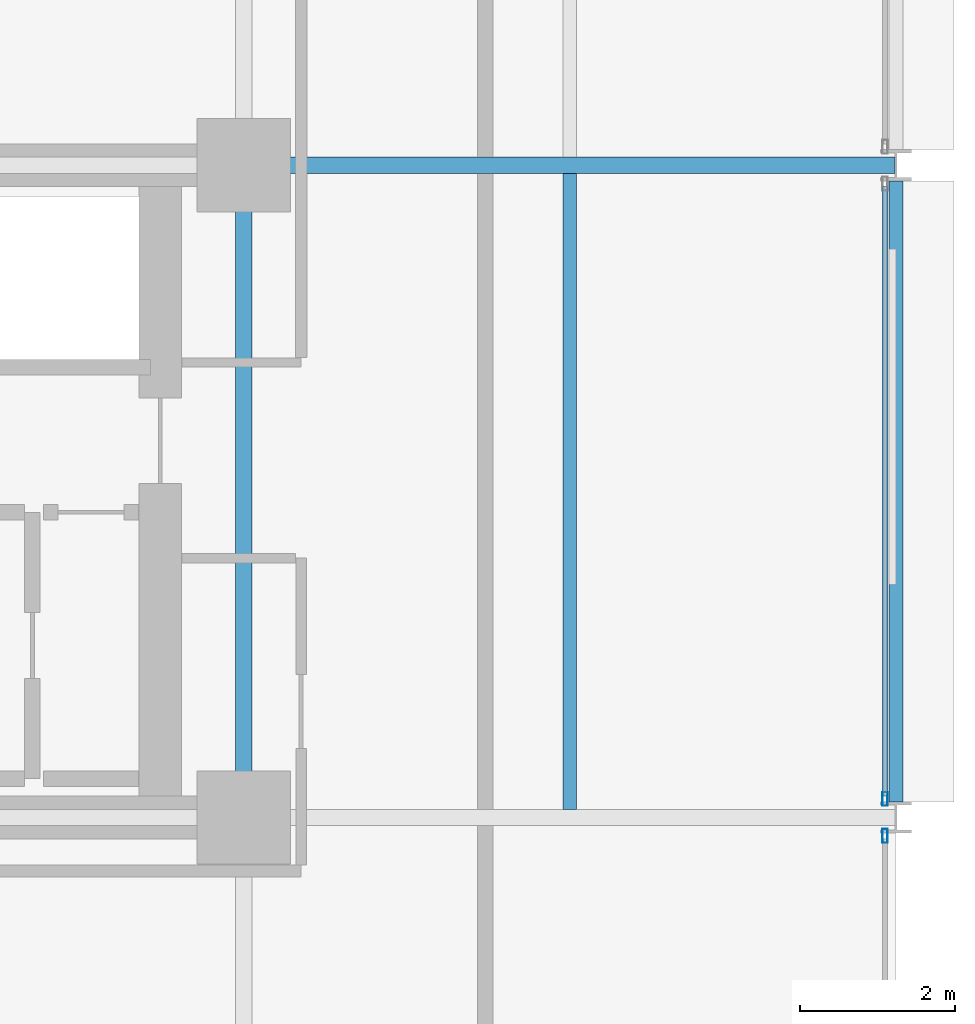
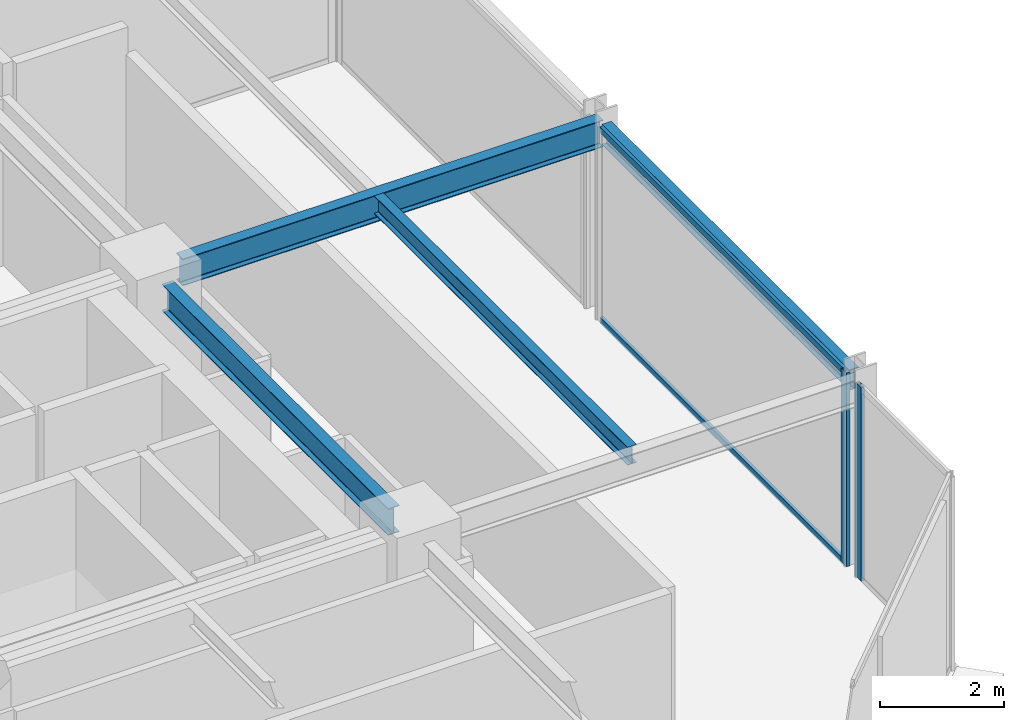
# One storey, part 14 of 30: 4 beams, 4 members, 2 elements without a shape of their own.
"""IFC4 building model written with IfcOpenShell, lengths in metres."""

from ifc_helpers import new_model, si_unit, direction, frame, origin, origin_2d, place, context, subcontext, project, spatial, hollow_rectangle, i_section, extrude, material, layer, layer_set, material_profile, profile_set, type_object, element, aggregate, save


model = new_model("IFC4")

# Units and contexts
model_context = context("Model", 3, precision=1e-05, world=origin(), true_north=direction((0.0, 1.0)))
body_context = subcontext(model_context, "Body", "Model", "MODEL_VIEW")
ifc_project = project(units=[si_unit("LENGTHUNIT", "METRE"), si_unit("AREAUNIT", "SQUARE_METRE"), si_unit("VOLUMEUNIT", "CUBIC_METRE"), si_unit("PLANEANGLEUNIT", "RADIAN"), si_unit("MASSUNIT", "GRAM", prefix="KILO")], contexts=[model_context])

# Site, building, storey
site_placement = place(None, origin())
site = spatial("IfcSite", under=ifc_project, at=site_placement, CompositionType="ELEMENT")
building_placement = place(site_placement, origin())
building = spatial("IfcBuilding", under=site, at=building_placement, Name="Nerrivon Quay Data Exchange", CompositionType="ELEMENT")
storey_placement = place(building_placement, frame((0.0, 0.0, 129.5)))
storey = spatial("IfcBuildingStorey", under=building, at=storey_placement, Name="L30", CompositionType="ELEMENT", Elevation=129.5)

# Beams
ifc_material_1 = material(Name="Steel Grade 350", Category="steel")
ifc_material_profile_1 = material_profile(ifc_material_1, i_section(OverallWidth=0.208984375, OverallDepth=0.532958984375, WebThickness=0.01025390625, FlangeThickness=0.015625, FilletRadius=0.013916015625, at=origin_2d()), Name="530UB92.4")
ifc_profile_set_1 = profile_set([ifc_material_profile_1], Name="Steel Grade 350")
beam_type_1 = type_object("IfcBeamType", Name="BM-G3-530UB92", PredefinedType="BEAM", material=ifc_profile_set_1)
beam_1_placement = place(storey_placement, frame((34.139892578125, 16.800048828125, 3.55859375), z_axis=(1.0, 0.0, 0.0), x_axis=(0.0, 1.0, 0.0)))
element("IfcBeam", 1, at=beam_1_placement, inside=storey, type_object=beam_type_1, Name="L30 EW Girder Y=16.8 (33.6..42.0)", PredefinedType="BEAM", context=body_context, shape_type="SweptSolid", body=[
    extrude(i_section(OverallWidth=0.208984375, OverallDepth=0.532958984375, WebThickness=0.01025390625, FlangeThickness=0.015625, FilletRadius=0.013916015625, at=origin_2d()), origin(), (0.0, 0.0, 1.0), 7.84765625),
])
ifc_material_profile_2 = material_profile(ifc_material_1, i_section(OverallWidth=0.208984375, OverallDepth=0.528076171875, WebThickness=0.009521484375, FlangeThickness=0.01318359375, FilletRadius=0.013916015625, at=origin_2d()), Name="530UB82.0")
ifc_profile_set_2 = profile_set([ifc_material_profile_2], Name="Steel Grade 350")
beam_type_2 = type_object("IfcBeamType", Name="BM-G4-530UB82", PredefinedType="BEAM", material=ifc_profile_set_2)
beam_2_placement = place(storey_placement, frame((33.60009765625, 8.93994140625, 3.56103515625), z_axis=(0.0, 1.0, 0.0), x_axis=(-1.0, 0.0, 0.0)))
element("IfcBeam", 2, at=beam_2_placement, inside=storey, type_object=beam_type_2, Name="L30 NS Girder X=33.6 (8.4..16.8)", PredefinedType="BEAM", context=body_context, shape_type="SweptSolid", body=[
    extrude(i_section(OverallWidth=0.208984375, OverallDepth=0.528076171875, WebThickness=0.009521484375, FlangeThickness=0.01318359375, FilletRadius=0.013916015625, at=origin_2d()), origin(), (0.0, 0.0, 1.0), 7.320068359375),
])
ifc_material_profile_3 = material_profile(ifc_material_1, i_section(OverallWidth=0.1708984375, OverallDepth=0.35595703125, WebThickness=0.00732421875, FlangeThickness=0.011474609375, FilletRadius=0.011474609375, at=origin_2d()), Name="360UB50.7")
ifc_profile_set_3 = profile_set([ifc_material_profile_3], Name="Steel Grade 350")
beam_type_3 = type_object("IfcBeamType", Name="BM-J4-360UB51", PredefinedType="JOIST", material=ifc_profile_set_3)
beam_3_placement = place(storey_placement, frame((37.800048828125, 8.50439453125, 3.64697265625), z_axis=(0.0, 1.0, 0.0), x_axis=(-1.0, 0.0, 0.0)))
element("IfcBeam", 3, at=beam_3_placement, inside=storey, type_object=beam_type_3, Name="L30 Secondary Joist X=37.8 (8.4..16.8)", PredefinedType="JOIST", context=body_context, shape_type="SweptSolid", body=[
    extrude(i_section(OverallWidth=0.1708984375, OverallDepth=0.35595703125, WebThickness=0.00732421875, FlangeThickness=0.011474609375, FilletRadius=0.011474609375, at=origin_2d()), origin(), (0.0, 0.0, 1.0), 8.191162109375),
])
ifc_material_profile_4 = material_profile(ifc_material_1, i_section(OverallWidth=0.177978515625, OverallDepth=0.403076171875, WebThickness=0.007568359375, FlangeThickness=0.010986328125, FilletRadius=0.011474609375, at=origin_2d()), Name="410UB53.7")
ifc_profile_set_4 = profile_set([ifc_material_profile_4], Name="Steel Grade 350")
beam_type_4 = type_object("IfcBeamType", Name="BM-SP2-410UB54", PredefinedType="SPANDREL", material=ifc_profile_set_4)
beam_4_placement = place(storey_placement, frame((42.0, 8.60009765625, 3.62353515625), z_axis=(0.0, 1.0, 0.0), x_axis=(-1.0, 0.0, 0.0)))
element("IfcBeam", 4, at=beam_4_placement, inside=storey, type_object=beam_type_4, Name="L30 NS Girder X=42.0 (8.4..16.8)", PredefinedType="SPANDREL", context=body_context, shape_type="SweptSolid", body=[
    extrude(i_section(OverallWidth=0.177978515625, OverallDepth=0.403076171875, WebThickness=0.007568359375, FlangeThickness=0.010986328125, FilletRadius=0.011474609375, at=origin_2d()), origin(), (0.0, 0.0, 1.0), 8.0),
])

# Curtain wall, member
ifc_material_2 = material(Name="Anodised aluminium 6063-T6", Category="aluminium")
ifc_layer = layer(ifc_material_2, 0.2099609375)
ifc_layer_set = layer_set([ifc_layer], Name="Anodised aluminium 6063-T6")
curtain_wall_type = type_object("IfcCurtainWallType", Name="CW-SYS-02", PredefinedType="NOTDEFINED", material=ifc_layer_set)
curtain_wall_1_placement = place(storey_placement, origin())
curtain_wall_1 = element("IfcCurtainWall", 5, at=curtain_wall_1_placement, inside=storey, type_object=curtain_wall_type, Name="L30 Unitised Curtain Wall 29", PredefinedType="NOTDEFINED")
ifc_material_profile_5 = material_profile(ifc_material_2, hollow_rectangle(XDim=0.06494140625, YDim=0.179931640625, WallThickness=0.00341796875, at=origin_2d()), Name="ALU-MULL-180x65")
ifc_profile_set_5 = profile_set([ifc_material_profile_5], Name="Anodised aluminium 6063-T6")
member_type_1 = type_object("IfcMemberType", Name="CWM-180x65", PredefinedType="MULLION", material=ifc_profile_set_5)
member_1_placement = place(storey_placement, frame((41.860107421875, 8.637451171875, 0.0), z_axis=(0.0, 0.0, 1.0), x_axis=(1.0, 0.0, 0.0)))
member_1 = element("IfcMember", 6, at=member_1_placement, type_object=member_type_1, Name="CW02 mullion 2", PredefinedType="MULLION", context=body_context, shape_type="SweptSolid", body=[
    extrude(hollow_rectangle(XDim=0.06494140625, YDim=0.179931640625, WallThickness=0.00341796875, at=origin_2d()), origin(), (0.0, 0.0, 1.0), 3.824951171875),
])

curtain_wall_2_placement = place(storey_placement, origin())
curtain_wall_2 = element("IfcCurtainWall", 7, at=curtain_wall_2_placement, inside=storey, type_object=curtain_wall_type, Name="L30 Unitised Curtain Wall 30", PredefinedType="NOTDEFINED")
member_2_placement = place(storey_placement, frame((41.860107421875, 8.16259765625, 0.0), z_axis=(0.0, 0.0, 1.0), x_axis=(1.0, 0.0, 0.0)))
member_2 = element("IfcMember", 8, at=member_2_placement, type_object=member_type_1, Name="CW02 mullion 1", PredefinedType="MULLION", context=body_context, shape_type="SweptSolid", body=[
    extrude(hollow_rectangle(XDim=0.06494140625, YDim=0.179931640625, WallThickness=0.00341796875, at=origin_2d()), origin(), (0.0, 0.0, 1.0), 3.824951171875),
])
aggregate(curtain_wall_2, [member_2])

# Member
ifc_material_profile_6 = material_profile(ifc_material_2, hollow_rectangle(XDim=0.06005859375, YDim=0.1201171875, WallThickness=0.003173828125, at=origin_2d()), Name="ALU-TRAN-120x60")
ifc_profile_set_6 = profile_set([ifc_material_profile_6], Name="Anodised aluminium 6063-T6")
member_type_2 = type_object("IfcMemberType", Name="CWT-120x60", PredefinedType="USERDEFINED", material=ifc_profile_set_6)
member_3_placement = place(storey_placement, frame((41.860107421875, 16.52490234375, 0.032470703125), z_axis=(0.0, -1.0, 0.0), x_axis=(1.0, 0.0, 0.0)))
member_3 = element("IfcMember", 9, at=member_3_placement, type_object=member_type_2, Name="CW02 transom 1.1", ObjectType="TRANSOM", PredefinedType="USERDEFINED", context=body_context, shape_type="SweptSolid", body=[
    extrude(hollow_rectangle(XDim=0.06005859375, YDim=0.1201171875, WallThickness=0.003173828125, at=origin_2d()), origin(), (0.0, 0.0, 1.0), 7.849853515625),
])

member_4_placement = place(storey_placement, frame((41.860107421875, 16.52490234375, 3.79248046875), z_axis=(0.0, -1.0, 0.0), x_axis=(1.0, 0.0, 0.0)))
member_4 = element("IfcMember", 10, at=member_4_placement, type_object=member_type_2, Name="CW02 transom 1.2", ObjectType="TRANSOM", PredefinedType="USERDEFINED", context=body_context, shape_type="SweptSolid", body=[
    extrude(hollow_rectangle(XDim=0.06005859375, YDim=0.1201171875, WallThickness=0.003173828125, at=origin_2d()), origin(), (0.0, 0.0, 1.0), 7.849853515625),
])

aggregate(curtain_wall_1, [member_1, member_3, member_4])

save(model, "model.ifc")
